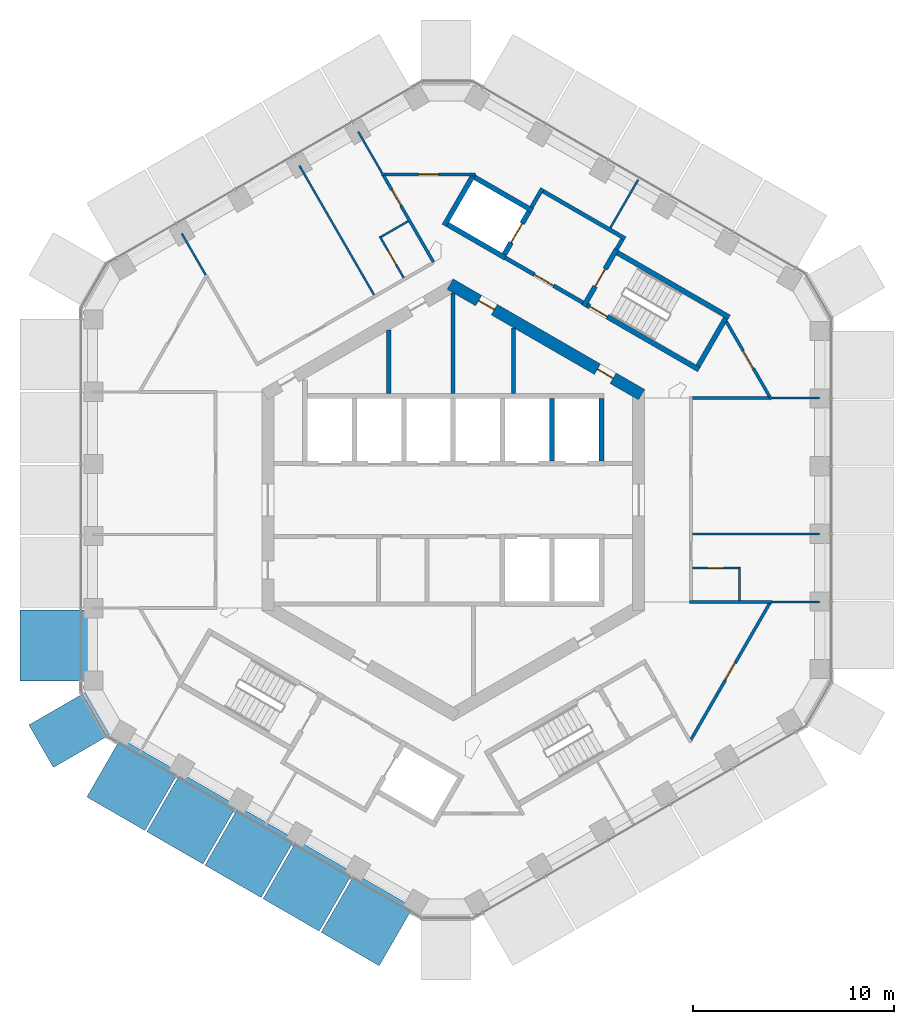
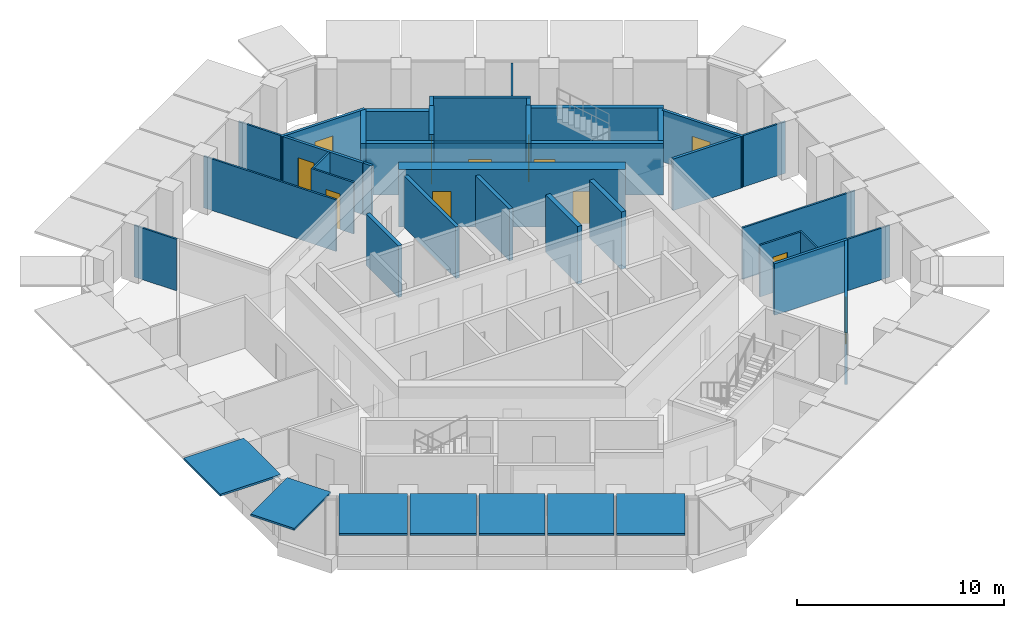
# One storey, part 15 of 18: 36 walls, 12 doors, 7 discrete accessories, 12 openings.
"""IFC4 building model written with IfcOpenShell, lengths in metres."""

from ifc_helpers import new_model, si_unit, direction, frame, frame_2d, origin, origin_2d, place, context, subcontext, project, spatial, rectangle, extrude, material, layer, layer_set, type_object, element, fill, save


model = new_model("IFC4")

# Units and contexts
model_context = context("Model", 3, precision=1e-05, world=origin(), true_north=direction((0.0, 1.0)))
body_context = subcontext(model_context, "Body", "Model", "MODEL_VIEW")
ifc_project = project(units=[si_unit("LENGTHUNIT", "METRE"), si_unit("AREAUNIT", "SQUARE_METRE"), si_unit("VOLUMEUNIT", "CUBIC_METRE"), si_unit("PLANEANGLEUNIT", "RADIAN"), si_unit("MASSUNIT", "GRAM", prefix="KILO")], contexts=[model_context])

# Site, building, storey
site_placement = place(None, origin())
site = spatial("IfcSite", under=ifc_project, at=site_placement, CompositionType="ELEMENT")
building_placement = place(site_placement, origin())
building = spatial("IfcBuilding", under=site, at=building_placement, Name="Ayvan Gate Tower", CompositionType="ELEMENT")
storey_placement = place(building_placement, frame((0.0, 0.0, 169.699951171875)))
storey = spatial("IfcBuildingStorey", under=building, at=storey_placement, Name="L45", CompositionType="ELEMENT", Elevation=169.699951171875)

# Wall, openings, doors
ifc_material_1 = material(Name="Concrete C60/75", Category="concrete")
ifc_layer_1 = layer(ifc_material_1, 0.60009765625)
ifc_layer_set_1 = layer_set([ifc_layer_1], Name="Concrete C60/75")
wall_type_1 = type_object("IfcWallType", Name="Core wall 600 C60/75", PredefinedType="SHEAR", material=ifc_layer_set_1)
wall_1_placement = place(storey_placement, frame((9.35009765625, 5.22509765625, 0.0), z_axis=(0.0, 0.0, 1.0), x_axis=(-0.866023993627, 0.500002442456, 0.0)))
wall_1 = element("IfcWall", 1, at=wall_1_placement, inside=storey, type_object=wall_type_1, Name="CORE-L45-1", PredefinedType="SHEAR", context=body_context, shape_type="SweptSolid", body=[
    extrude(rectangle(XDim=10.9697265625, YDim=0.60009765625, at=frame_2d((5.48486328125, 0.0))), origin(), (0.0, 0.0, 1.0), 3.400146484375),
])
opening_1_placement = place(wall_1_placement, frame((8.44189453125, 0.0, 0.0)))
opening_1 = element("IfcOpeningElement", 2, at=opening_1_placement, cuts=wall_1, Name="Opening L45-D39", PredefinedType="OPENING", context=body_context, shape_type="SweptSolid", body=[
    extrude(rectangle(XDim=0.89990234375, YDim=2.10009765625, at=frame_2d((0.449951171875, 1.050048828125))), frame((0.0, 0.31005859375, 0.0), z_axis=(0.0, -1.0, 0.0), x_axis=(1.0, 0.0, 0.0)), (0.0, 0.0, 1.0), 0.6201171875),
])
opening_2_placement = place(wall_1_placement, frame((1.633544921875, 0.0, 0.0)))
opening_2 = element("IfcOpeningElement", 3, at=opening_2_placement, cuts=wall_1, Name="Opening L45-D40", PredefinedType="OPENING", context=body_context, shape_type="SweptSolid", body=[
    extrude(rectangle(XDim=0.89990234375, YDim=2.10009765625, at=frame_2d((0.449951171875, 1.050048828125))), frame((0.0, 0.31005859375, 0.0), z_axis=(0.0, -1.0, 0.0), x_axis=(1.0, 0.0, 0.0)), (0.0, 0.0, 1.0), 0.6201171875),
])
ifc_material_2 = material(Name="Timber door leaf", Category="wood")
door_type_1 = type_object("IfcDoorType", Name="DT-900", OperationType="NOTDEFINED", PredefinedType="DOOR", material=ifc_material_2)
door_1_placement = place(opening_1_placement, origin())
door_1 = element("IfcDoor", 4, at=door_1_placement, inside=storey, type_object=door_type_1, Name="CD-L45-39", OperationType="SINGLE_SWING_RIGHT", OverallHeight=2.10009765625, OverallWidth=0.89990234375, PredefinedType="DOOR", context=body_context, shape_type="SweptSolid", body=[
    extrude(rectangle(XDim=0.89990234375, YDim=2.10009765625, at=frame_2d((0.449951171875, 1.050048828125))), frame((0.0, 0.02490234375, 0.0), z_axis=(0.0, -1.0, 0.0), x_axis=(1.0, 0.0, 0.0)), (0.0, 0.0, 1.0), 0.050048828125),
])
fill(opening_1, door_1)
door_2_placement = place(opening_2_placement, origin())
door_2 = element("IfcDoor", 5, at=door_2_placement, inside=storey, type_object=door_type_1, Name="CD-L45-40", OperationType="SINGLE_SWING_LEFT", OverallHeight=2.10009765625, OverallWidth=0.89990234375, PredefinedType="DOOR", context=body_context, shape_type="SweptSolid", body=[
    extrude(rectangle(XDim=0.89990234375, YDim=2.10009765625, at=frame_2d((0.449951171875, 1.050048828125))), frame((0.0, 0.02490234375, 0.0), z_axis=(0.0, -1.0, 0.0), x_axis=(1.0, 0.0, 0.0)), (0.0, 0.0, 1.0), 0.050048828125),
])
fill(opening_2, door_2)

# Wall, opening, door
ifc_material_3 = material(Name="Plasterboard on steel stud", Category="steel")
ifc_layer_2 = layer(ifc_material_3, 0.14990234375)
ifc_layer_set_2 = layer_set([ifc_layer_2], Name="Plasterboard on steel stud")
wall_type_2 = type_object("IfcWallType", Name="WT-CORR-150", PredefinedType="PARTITIONING", material=ifc_layer_set_2)
wall_2_placement = place(storey_placement, frame((-3.5703125, 16.16455078125, 0.0), z_axis=(0.0, 0.0, 1.0), x_axis=(1.0, 0.0, 0.0)))
wall_2 = element("IfcWall", 6, at=wall_2_placement, inside=storey, type_object=wall_type_2, Name="IW-L45-032", PredefinedType="PARTITIONING", context=body_context, shape_type="SweptSolid", body=[
    extrude(rectangle(XDim=4.6640625, YDim=0.14990234375, at=frame_2d((2.33203125, 0.0))), origin(), (0.0, 0.0, 1.0), 3.050048828125),
])
opening_3_placement = place(wall_2_placement, frame((1.849365234375, 0.0, 0.0)))
opening_3 = element("IfcOpeningElement", 7, at=opening_3_placement, cuts=wall_2, Name="Opening L45-D26", PredefinedType="OPENING", context=body_context, shape_type="SweptSolid", body=[
    extrude(rectangle(XDim=1.0, YDim=2.10009765625, at=frame_2d((0.5, 1.050048828125))), frame((0.0, 0.0849609375, 0.0), z_axis=(0.0, -1.0, 0.0), x_axis=(1.0, 0.0, 0.0)), (0.0, 0.0, 1.0), 0.169921875),
])
door_type_2 = type_object("IfcDoorType", Name="DT-1000", OperationType="NOTDEFINED", PredefinedType="DOOR", material=ifc_material_2)
door_3_placement = place(opening_3_placement, origin())
door_3 = element("IfcDoor", 8, at=door_3_placement, inside=storey, type_object=door_type_2, Name="ID-L45-026", OperationType="SINGLE_SWING_LEFT", OverallHeight=2.10009765625, OverallWidth=1.0, PredefinedType="DOOR", context=body_context, shape_type="SweptSolid", body=[
    extrude(rectangle(XDim=1.0, YDim=2.10009765625, at=frame_2d((0.5, 1.050048828125))), frame((0.0, 0.02490234375, 0.0), z_axis=(0.0, -1.0, 0.0), x_axis=(1.0, 0.0, 0.0)), (0.0, 0.0, 1.0), 0.050048828125),
])
fill(opening_3, door_3)

wall_3_placement = place(storey_placement, frame((-3.4580078125, 16.099609375, 0.0), z_axis=(0.0, 0.0, 1.0), x_axis=(0.500019192393, -0.866014322768, 0.0)))
wall_3 = element("IfcWall", 9, at=wall_3_placement, inside=storey, type_object=wall_type_2, Name="IW-L45-038", PredefinedType="PARTITIONING", context=body_context, shape_type="SweptSolid", body=[
    extrude(rectangle(XDim=4.439208984375, YDim=0.14990234375, at=frame_2d((2.2197265625, 0.0))), origin(), (0.0, 0.0, 1.0), 3.050048828125),
])
opening_4_placement = place(wall_3_placement, frame((0.82080078125, 0.0, 0.0)))
opening_4 = element("IfcOpeningElement", 10, at=opening_4_placement, cuts=wall_3, Name="Opening L45-D34", PredefinedType="OPENING", context=body_context, shape_type="SweptSolid", body=[
    extrude(rectangle(XDim=0.89990234375, YDim=2.10009765625, at=frame_2d((0.449951171875, 1.050048828125))), frame((0.0, 0.0849609375, 0.0), z_axis=(0.0, -1.0, 0.0), x_axis=(1.0, 0.0, 0.0)), (0.0, 0.0, 1.0), 0.169921875),
])
door_4_placement = place(opening_4_placement, origin())
door_4 = element("IfcDoor", 11, at=door_4_placement, inside=storey, type_object=door_type_1, Name="ID-L45-034", OperationType="SINGLE_SWING_LEFT", OverallHeight=2.10009765625, OverallWidth=0.89990234375, PredefinedType="DOOR", context=body_context, shape_type="SweptSolid", body=[
    extrude(rectangle(XDim=0.89990234375, YDim=2.10009765625, at=frame_2d((0.449951171875, 1.050048828125))), frame((0.0, 0.02490234375, 0.0), z_axis=(0.0, -1.0, 0.0), x_axis=(1.0, 0.0, 0.0)), (0.0, 0.0, 1.0), 0.050048828125),
])
fill(opening_4, door_4)

# Walls
wall_4_placement = place(storey_placement, frame((-1.228271484375, 12.23779296875, 0.0), z_axis=(0.0, 0.0, 1.0), x_axis=(0.499765374431, -0.86616082255, 0.0)))
element("IfcWall", 12, at=wall_4_placement, inside=storey, type_object=wall_type_2, Name="IW-L45-040", PredefinedType="PARTITIONING", context=body_context, shape_type="SweptSolid", body=[
    extrude(rectangle(XDim=0.492431640625, YDim=0.14990234375, at=frame_2d((0.24609375, 0.0))), origin(), (0.0, 0.0, 1.0), 3.050048828125),
])
wall_5_placement = place(storey_placement, frame((11.724853515625, -5.05517578125, 0.0), z_axis=(0.0, 0.0, 1.0), x_axis=(1.0, 0.0, 0.0)))
element("IfcWall", 13, at=wall_5_placement, inside=storey, type_object=wall_type_2, Name="IW-L45-080", PredefinedType="PARTITIONING", context=body_context, shape_type="SweptSolid", body=[
    extrude(rectangle(XDim=4.0966796875, YDim=0.14990234375, at=frame_2d((2.04833984375, 0.0))), origin(), (0.0, 0.0, 1.0), 3.050048828125),
])

# Wall, opening, door
wall_6_placement = place(storey_placement, frame((13.552001953125, 8.856201171875, 0.0), z_axis=(0.0, 0.0, 1.0), x_axis=(0.500027009065, -0.866009809532, 0.0)))
wall_6 = element("IfcWall", 14, at=wall_6_placement, inside=storey, type_object=wall_type_2, Name="IW-L45-084", PredefinedType="PARTITIONING", context=body_context, shape_type="SweptSolid", body=[
    extrude(rectangle(XDim=4.464111328125, YDim=0.14990234375, at=frame_2d((2.23193359375, 0.0))), origin(), (0.0, 0.0, 1.0), 3.050048828125),
])
opening_5_placement = place(wall_6_placement, frame((1.67724609375, 0.0, 0.0)))
opening_5 = element("IfcOpeningElement", 15, at=opening_5_placement, cuts=wall_6, Name="Opening L45-D25", PredefinedType="OPENING", context=body_context, shape_type="SweptSolid", body=[
    extrude(rectangle(XDim=1.0, YDim=2.10009765625, at=frame_2d((0.5, 1.050048828125))), frame((0.0, 0.0849609375, 0.0), z_axis=(0.0, -1.0, 0.0), x_axis=(1.0, 0.0, 0.0)), (0.0, 0.0, 1.0), 0.169921875),
])
door_5_placement = place(opening_5_placement, origin())
door_5 = element("IfcDoor", 16, at=door_5_placement, inside=storey, type_object=door_type_2, Name="ID-L45-025", OperationType="SINGLE_SWING_RIGHT", OverallHeight=2.10009765625, OverallWidth=1.0, PredefinedType="DOOR", context=body_context, shape_type="SweptSolid", body=[
    extrude(rectangle(XDim=1.0, YDim=2.10009765625, at=frame_2d((0.5, 1.050048828125))), frame((0.0, 0.02490234375, 0.0), z_axis=(0.0, -1.0, 0.0), x_axis=(1.0, 0.0, 0.0)), (0.0, 0.0, 1.0), 0.050048828125),
])
fill(opening_5, door_5)

# Wall
wall_7_placement = place(storey_placement, frame((15.671630859375, 5.05517578125, 0.0), z_axis=(0.0, 0.0, 1.0), x_axis=(-1.0, 0.0, 0.0)))
element("IfcWall", 17, at=wall_7_placement, inside=storey, type_object=wall_type_2, Name="IW-L45-089", PredefinedType="PARTITIONING", context=body_context, shape_type="SweptSolid", body=[
    extrude(rectangle(XDim=3.796630859375, YDim=0.14990234375, at=frame_2d((1.8984375, 0.0))), origin(), (0.0, 0.0, 1.0), 3.050048828125),
])

# Wall, opening, door
wall_8_placement = place(storey_placement, frame((15.708984375, -5.1201171875, 0.0), z_axis=(0.0, 0.0, 1.0), x_axis=(-0.499989717029, -0.866031340579, 0.0)))
wall_8 = element("IfcWall", 18, at=wall_8_placement, inside=storey, type_object=wall_type_2, Name="IW-L45-090", PredefinedType="PARTITIONING", context=body_context, shape_type="SweptSolid", body=[
    extrude(rectangle(XDim=7.828369140625, YDim=0.14990234375, at=frame_2d((3.9140625, 0.0))), origin(), (0.0, 0.0, 1.0), 3.050048828125),
])
opening_6_placement = place(wall_8_placement, frame((3.4140625, 0.0, 0.0)))
opening_6 = element("IfcOpeningElement", 19, at=opening_6_placement, cuts=wall_8, Name="Opening L45-D33", PredefinedType="OPENING", context=body_context, shape_type="SweptSolid", body=[
    extrude(rectangle(XDim=1.0, YDim=2.10009765625, at=frame_2d((0.5, 1.050048828125))), frame((0.0, 0.0849609375, 0.0), z_axis=(0.0, -1.0, 0.0), x_axis=(1.0, 0.0, 0.0)), (0.0, 0.0, 1.0), 0.169921875),
])
door_6_placement = place(opening_6_placement, origin())
door_6 = element("IfcDoor", 20, at=door_6_placement, inside=storey, type_object=door_type_2, Name="ID-L45-033", OperationType="SINGLE_SWING_RIGHT", OverallHeight=2.10009765625, OverallWidth=1.0, PredefinedType="DOOR", context=body_context, shape_type="SweptSolid", body=[
    extrude(rectangle(XDim=1.0, YDim=2.10009765625, at=frame_2d((0.5, 1.050048828125))), frame((0.0, 0.02490234375, 0.0), z_axis=(0.0, -1.0, 0.0), x_axis=(1.0, 0.0, 0.0)), (0.0, 0.0, 1.0), 0.050048828125),
])
fill(opening_6, door_6)

# Walls
ifc_layer_3 = layer(ifc_material_3, 0.10009765625)
ifc_layer_set_3 = layer_set([ifc_layer_3], Name="Plasterboard on steel stud")
wall_type_3 = type_object("IfcWallType", Name="WT-PART-100", PredefinedType="PARTITIONING", material=ifc_layer_set_3)
wall_9_placement = place(storey_placement, frame((-13.47119140625, 13.222412109375, 0.0), z_axis=(0.0, 0.0, 1.0), x_axis=(0.499969694265, -0.866042900102, 0.0)))
element("IfcWall", 21, at=wall_9_placement, inside=storey, type_object=wall_type_3, Name="IW-L45-007", PredefinedType="PARTITIONING", context=body_context, shape_type="SweptSolid", body=[
    extrude(rectangle(XDim=2.364990234375, YDim=0.10009765625, at=frame_2d((1.1826171875, 0.0))), origin(), (0.0, 0.0, 1.0), 3.050048828125),
])
wall_10_placement = place(storey_placement, frame((-3.92822265625, 10.174072265625, 0.0), z_axis=(0.0, 0.0, 1.0), x_axis=(-0.500011399757, 0.866018822032, 0.0)))
element("IfcWall", 22, at=wall_10_placement, inside=storey, type_object=wall_type_3, Name="IW-L45-026", PredefinedType="PARTITIONING", context=body_context, shape_type="SweptSolid", body=[
    extrude(rectangle(XDim=7.411376953125, YDim=0.10009765625, at=frame_2d((3.70556640625, 0.0))), origin(), (0.0, 0.0, 1.0), 3.050048828125),
])

# Wall, opening, door
wall_11_placement = place(storey_placement, frame((-3.6435546875, 13.080810546875, 0.0), z_axis=(0.0, 0.0, 1.0), x_axis=(0.499986429846, -0.866033238375, 0.0)))
wall_11 = element("IfcWall", 23, at=wall_11_placement, inside=storey, type_object=wall_type_3, Name="IW-L45-030", PredefinedType="PARTITIONING", context=body_context, shape_type="SweptSolid", body=[
    extrude(rectangle(XDim=2.375, YDim=0.10009765625, at=frame_2d((1.1875, 0.0))), origin(), (0.0, 0.0, 1.0), 3.050048828125),
])
opening_7_placement = place(wall_11_placement, frame((0.8125, 0.0, 0.0)))
opening_7 = element("IfcOpeningElement", 24, at=opening_7_placement, cuts=wall_11, Name="Opening L45-D35", PredefinedType="OPENING", context=body_context, shape_type="SweptSolid", body=[
    extrude(rectangle(XDim=0.800048828125, YDim=2.10009765625, at=frame_2d((0.39990234375, 1.050048828125))), frame((0.0, 0.06005859375, 0.0), z_axis=(0.0, -1.0, 0.0), x_axis=(1.0, 0.0, 0.0)), (0.0, 0.0, 1.0), 0.1201171875),
])
door_type_3 = type_object("IfcDoorType", Name="DT-800", OperationType="NOTDEFINED", PredefinedType="DOOR", material=ifc_material_2)
door_7_placement = place(opening_7_placement, origin())
door_7 = element("IfcDoor", 25, at=door_7_placement, inside=storey, type_object=door_type_3, Name="ID-L45-035", OperationType="SINGLE_SWING_RIGHT", OverallHeight=2.10009765625, OverallWidth=0.800048828125, PredefinedType="DOOR", context=body_context, shape_type="SweptSolid", body=[
    extrude(rectangle(XDim=0.800048828125, YDim=2.10009765625, at=frame_2d((0.39990234375, 1.050048828125))), frame((0.0, 0.02490234375, 0.0), z_axis=(0.0, -1.0, 0.0), x_axis=(1.0, 0.0, 0.0)), (0.0, 0.0, 1.0), 0.050048828125),
])
fill(opening_7, door_7)

# Walls
wall_12_placement = place(storey_placement, frame((-3.532958984375, 16.2294921875, 0.0), z_axis=(0.0, 0.0, 1.0), x_axis=(-0.499969694265, 0.866042900102, 0.0)))
element("IfcWall", 26, at=wall_12_placement, inside=storey, type_object=wall_type_3, Name="IW-L45-031", PredefinedType="PARTITIONING", context=body_context, shape_type="SweptSolid", body=[
    extrude(rectangle(XDim=2.364990234375, YDim=0.10009765625, at=frame_2d((1.1826171875, 0.0))), origin(), (0.0, 0.0, 1.0), 3.050048828125),
])
wall_13_placement = place(storey_placement, frame((-2.237060546875, 13.8349609375, 0.0), z_axis=(0.0, 0.0, 1.0), x_axis=(-0.866056658381, -0.499945861543, 0.0)))
element("IfcWall", 27, at=wall_13_placement, inside=storey, type_object=wall_type_3, Name="IW-L45-037", PredefinedType="PARTITIONING", context=body_context, shape_type="SweptSolid", body=[
    extrude(rectangle(XDim=1.545166015625, YDim=0.10009765625, at=frame_2d((0.7724609375, 0.0))), origin(), (0.0, 0.0, 1.0), 3.050048828125),
])
wall_14_placement = place(storey_placement, frame((7.800048828125, 13.510009765625, 0.0), z_axis=(0.0, 0.0, 1.0), x_axis=(0.500000584575, 0.86602506628, 0.0)))
element("IfcWall", 28, at=wall_14_placement, inside=storey, type_object=wall_type_3, Name="IW-L45-073", PredefinedType="PARTITIONING", context=body_context, shape_type="SweptSolid", body=[
    extrude(rectangle(XDim=2.7607421875, YDim=0.10009765625, at=frame_2d((1.38037109375, 0.0))), origin(), (0.0, 0.0, 1.0), 3.050048828125),
])
wall_15_placement = place(storey_placement, frame((11.875, -1.68505859375, 0.0), z_axis=(0.0, 0.0, 1.0), x_axis=(1.0, 0.0, 0.0)))
element("IfcWall", 29, at=wall_15_placement, inside=storey, type_object=wall_type_3, Name="IW-L45-082", PredefinedType="PARTITIONING", context=body_context, shape_type="SweptSolid", body=[
    extrude(rectangle(XDim=6.3115234375, YDim=0.10009765625, at=frame_2d((3.15576171875, 0.0))), origin(), (0.0, 0.0, 1.0), 3.050048828125),
])
wall_16_placement = place(storey_placement, frame((14.199951171875, -4.980224609375, 0.0), z_axis=(0.0, 0.0, 1.0), x_axis=(0.0, 1.0, 0.0)))
element("IfcWall", 30, at=wall_16_placement, inside=storey, type_object=wall_type_3, Name="IW-L45-086", PredefinedType="PARTITIONING", context=body_context, shape_type="SweptSolid", body=[
    extrude(rectangle(XDim=1.64501953125, YDim=0.10009765625, at=frame_2d((0.822509765625, 0.0))), origin(), (0.0, 0.0, 1.0), 3.050048828125),
])

# Wall, opening, door
wall_17_placement = place(storey_placement, frame((14.14990234375, -3.385009765625, 0.0), z_axis=(0.0, 0.0, 1.0), x_axis=(-1.0, 0.0, 0.0)))
wall_17 = element("IfcWall", 31, at=wall_17_placement, inside=storey, type_object=wall_type_3, Name="IW-L45-087", PredefinedType="PARTITIONING", context=body_context, shape_type="SweptSolid", body=[
    extrude(rectangle(XDim=2.27490234375, YDim=0.10009765625, at=frame_2d((1.137451171875, 0.0))), origin(), (0.0, 0.0, 1.0), 3.050048828125),
])
opening_8_placement = place(wall_17_placement, frame((0.737548828125, 0.0, 0.0)))
opening_8 = element("IfcOpeningElement", 32, at=opening_8_placement, cuts=wall_17, Name="Opening L45-D23", PredefinedType="OPENING", context=body_context, shape_type="SweptSolid", body=[
    extrude(rectangle(XDim=0.800048828125, YDim=2.10009765625, at=frame_2d((0.39990234375, 1.050048828125))), frame((0.0, 0.06005859375, 0.0), z_axis=(0.0, -1.0, 0.0), x_axis=(1.0, 0.0, 0.0)), (0.0, 0.0, 1.0), 0.1201171875),
])
door_8_placement = place(opening_8_placement, origin())
door_8 = element("IfcDoor", 33, at=door_8_placement, inside=storey, type_object=door_type_3, Name="ID-L45-023", OperationType="SINGLE_SWING_RIGHT", OverallHeight=2.10009765625, OverallWidth=0.800048828125, PredefinedType="DOOR", context=body_context, shape_type="SweptSolid", body=[
    extrude(rectangle(XDim=0.800048828125, YDim=2.10009765625, at=frame_2d((0.39990234375, 1.050048828125))), frame((0.0, 0.02490234375, 0.0), z_axis=(0.0, -1.0, 0.0), x_axis=(1.0, 0.0, 0.0)), (0.0, 0.0, 1.0), 0.050048828125),
])
fill(opening_8, door_8)

# Walls
for number, where, z_axis, x_axis, name in (
    (34, (15.821533203125, 5.05517578125, 0.0), (0.0, 0.0, 1.0), (1.0, 0.0, 0.0), "IW-L45-088"),
    (35, (18.1865234375, -5.05517578125, 0.0), (0.0, 0.0, 1.0), (-1.0, 0.0, 0.0), "IW-L45-091"),
):
    element("IfcWall", number, at=place(storey_placement, frame(where, z_axis=z_axis, x_axis=x_axis)), inside=storey, type_object=wall_type_3, Name=name, PredefinedType="PARTITIONING", context=body_context, shape_type="SweptSolid", body=[
        extrude(rectangle(XDim=2.364990234375, YDim=0.10009765625, at=frame_2d((1.1826171875, 0.0))), origin(), (0.0, 0.0, 1.0), 3.050048828125),
    ])
ifc_layer_4 = layer(ifc_material_3, 0.199951171875)
ifc_layer_set_4 = layer_set([ifc_layer_4], Name="Plasterboard on steel stud")
wall_type_4 = type_object("IfcWallType", Name="WT-RATED-200", PredefinedType="PARTITIONING", material=ifc_layer_set_4)
wall_18_placement = place(storey_placement, frame((-3.199951171875, 8.42919921875, 0.0), z_axis=(0.0, 0.0, 1.0), x_axis=(0.0, -1.0, 0.0)))
element("IfcWall", 36, at=wall_18_placement, inside=storey, type_object=wall_type_4, Name="IW-L45-033", PredefinedType="PARTITIONING", context=body_context, shape_type="SweptSolid", body=[
    extrude(rectangle(XDim=3.154296875, YDim=0.199951171875, at=frame_2d((1.5771484375, 0.0))), origin(), (0.0, 0.0, 1.0), 3.050048828125),
])
wall_19_placement = place(storey_placement, frame((0.0, 10.27685546875, 0.0), z_axis=(0.0, 0.0, 1.0), x_axis=(0.0, -1.0, 0.0)))
element("IfcWall", 37, at=wall_19_placement, inside=storey, type_object=wall_type_4, Name="IW-L45-045", PredefinedType="PARTITIONING", context=body_context, shape_type="SweptSolid", body=[
    extrude(rectangle(XDim=5.001953125, YDim=0.199951171875, at=frame_2d((2.5009765625, 0.0))), origin(), (0.0, 0.0, 1.0), 3.050048828125),
])
wall_20_placement = place(storey_placement, frame((3.0, 8.544921875, 0.0), z_axis=(0.0, 0.0, 1.0), x_axis=(0.0, -1.0, 0.0)))
element("IfcWall", 38, at=wall_20_placement, inside=storey, type_object=wall_type_4, Name="IW-L45-054", PredefinedType="PARTITIONING", context=body_context, shape_type="SweptSolid", body=[
    extrude(rectangle(XDim=3.27001953125, YDim=0.199951171875, at=frame_2d((1.635009765625, 0.0))), origin(), (0.0, 0.0, 1.0), 3.050048828125),
])
wall_21_placement = place(storey_placement, frame((3.885009765625, 14.52880859375, 0.0), z_axis=(0.0, 0.0, 1.0), x_axis=(0.499997628298, 0.866026773083, 0.0)))
element("IfcWall", 39, at=wall_21_placement, inside=storey, type_object=wall_type_4, Name="IW-L45-058", PredefinedType="PARTITIONING", context=body_context, shape_type="SweptSolid", body=[
    extrude(rectangle(XDim=1.0751953125, YDim=0.199951171875, at=frame_2d((0.53759765625, 0.0))), origin(), (0.0, 0.0, 1.0), 3.050048828125),
])
wall_22_placement = place(storey_placement, frame((4.458984375, 15.323486328125, 0.0), z_axis=(0.0, 0.0, 1.0), x_axis=(0.866016039709, -0.500016218704, 0.0)))
element("IfcWall", 40, at=wall_22_placement, inside=storey, type_object=wall_type_4, Name="IW-L45-059", PredefinedType="PARTITIONING", context=body_context, shape_type="SweptSolid", body=[
    extrude(rectangle(XDim=4.699951171875, YDim=0.199951171875, at=frame_2d((2.35009765625, 0.0))), origin(), (0.0, 0.0, 1.0), 3.050048828125),
])

# Wall, opening, door
wall_23_placement = place(storey_placement, frame((6.4345703125, 9.794921875, 0.0), z_axis=(0.0, 0.0, 1.0), x_axis=(-0.866012907634, 0.500021643343, 0.0)))
wall_23 = element("IfcWall", 41, at=wall_23_placement, inside=storey, type_object=wall_type_4, Name="IW-L45-064", PredefinedType="PARTITIONING", context=body_context, shape_type="SweptSolid", body=[
    extrude(rectangle(XDim=4.449951171875, YDim=0.199951171875, at=frame_2d((2.22509765625, 0.0))), origin(), (0.0, 0.0, 1.0), 3.050048828125),
])
opening_9_placement = place(wall_23_placement, frame((1.675048828125, 0.0, 0.0)))
opening_9 = element("IfcOpeningElement", 42, at=opening_9_placement, cuts=wall_23, Name="Opening L45-D13", PredefinedType="OPENING", context=body_context, shape_type="SweptSolid", body=[
    extrude(rectangle(XDim=1.10009765625, YDim=2.10009765625, at=frame_2d((0.550048828125, 1.050048828125))), frame((0.0, 0.10986328125, 0.0), z_axis=(0.0, -1.0, 0.0), x_axis=(1.0, 0.0, 0.0)), (0.0, 0.0, 1.0), 0.219970703125),
])
door_type_4 = type_object("IfcDoorType", Name="DT-1100", OperationType="NOTDEFINED", PredefinedType="DOOR", material=ifc_material_2)
door_9_placement = place(opening_9_placement, origin())
door_9 = element("IfcDoor", 43, at=door_9_placement, inside=storey, type_object=door_type_4, Name="ID-L45-013", OperationType="SINGLE_SWING_RIGHT", OverallHeight=2.10009765625, OverallWidth=1.10009765625, PredefinedType="DOOR", context=body_context, shape_type="SweptSolid", body=[
    extrude(rectangle(XDim=1.10009765625, YDim=2.10009765625, at=frame_2d((0.550048828125, 1.050048828125))), frame((0.0, 0.02490234375, 0.0), z_axis=(0.0, -1.0, 0.0), x_axis=(1.0, 0.0, 0.0)), (0.0, 0.0, 1.0), 0.050048828125),
])
fill(opening_9, door_9)

# Walls
wall_24_placement = place(storey_placement, frame((8.392822265625, 12.936767578125, 0.0), z_axis=(0.0, 0.0, 1.0), x_axis=(-0.500065409566, -0.86598763626, 0.0)))
element("IfcWall", 44, at=wall_24_placement, inside=storey, type_object=wall_type_4, Name="IW-L45-075", PredefinedType="PARTITIONING", context=body_context, shape_type="SweptSolid", body=[
    extrude(rectangle(XDim=0.5751953125, YDim=0.199951171875, at=frame_2d((0.28759765625, 0.0))), origin(), (0.0, 0.0, 1.0), 3.050048828125),
])
ifc_material_4 = material(Name="Concrete C50/60", Category="concrete")
ifc_layer_5 = layer(ifc_material_4, 0.25)
ifc_layer_set_5 = layer_set([ifc_layer_5], Name="Concrete C50/60")
wall_type_5 = type_object("IfcWallType", Name="WT-RC-250", PredefinedType="SHEAR", material=ifc_layer_set_5)
wall_25_placement = place(storey_placement, frame((-0.447998046875, 13.624267578125, 0.0), z_axis=(0.0, 0.0, 1.0), x_axis=(0.500037662692, 0.866003658127, 0.0)))
element("IfcWall", 45, at=wall_25_placement, inside=storey, type_object=wall_type_5, Name="IW-L45-043", PredefinedType="SHEAR", context=body_context, shape_type="SweptSolid", body=[
    extrude(rectangle(XDim=2.949951171875, YDim=0.25, at=frame_2d((1.47509765625, 0.0))), origin(), (0.0, 0.0, 1.0), 3.050048828125),
])
for number, where, z_axis, x_axis, name in (
    (46, (1.072998046875, 16.00830078125, 0.0), (0.0, 0.0, 1.0), (0.866040211805, -0.499974350878, 0.0), "IW-L45-046"),
    (47, (2.580810546875, 12.02001953125, 0.0), (0.0, 0.0, 1.0), (-0.866040211805, 0.499974350878, 0.0), "IW-L45-052"),
):
    element("IfcWall", number, at=place(storey_placement, frame(where, z_axis=z_axis, x_axis=x_axis)), inside=storey, type_object=wall_type_5, Name=name, PredefinedType="SHEAR", context=body_context, shape_type="SweptSolid", body=[
        extrude(rectangle(XDim=3.300048828125, YDim=0.25, at=frame_2d((1.64990234375, 0.0))), origin(), (0.0, 0.0, 1.0), 3.050048828125),
    ])

# Wall, opening, door
wall_26_placement = place(storey_placement, frame((2.534912109375, 12.19091796875, 0.0), z_axis=(0.0, 0.0, 1.0), x_axis=(0.500061746146, 0.865989751695, 0.0)))
wall_26 = element("IfcWall", 48, at=wall_26_placement, inside=storey, type_object=wall_type_5, Name="IW-L45-053", PredefinedType="SHEAR", context=body_context, shape_type="SweptSolid", body=[
    extrude(rectangle(XDim=2.449951171875, YDim=0.25, at=frame_2d((1.22509765625, 0.0))), origin(), (0.0, 0.0, 1.0), 3.400146484375),
])
opening_10_placement = place(wall_26_placement, frame((0.675048828125, 0.0, 0.0)))
opening_10 = element("IfcOpeningElement", 49, at=opening_10_placement, cuts=wall_26, Name="Opening L45-LD-FF1", PredefinedType="OPENING", context=body_context, shape_type="SweptSolid", body=[
    extrude(rectangle(XDim=1.10009765625, YDim=2.10009765625, at=frame_2d((0.550048828125, 1.050048828125))), frame((0.0, 0.135009765625, 0.0), z_axis=(0.0, -1.0, 0.0), x_axis=(1.0, 0.0, 0.0)), (0.0, 0.0, 1.0), 0.27001953125),
])
ifc_material_5 = material(Name="Stainless steel landing door", Category="steel")
door_type_5 = type_object("IfcDoorType", Name="DT-LANDING-1100", OperationType="SLIDING_TO_LEFT", PredefinedType="DOOR", material=ifc_material_5)
door_10_placement = place(opening_10_placement, origin())
door_10 = element("IfcDoor", 50, at=door_10_placement, inside=storey, type_object=door_type_5, Name="ID-L45-014", OperationType="SLIDING_TO_LEFT", OverallHeight=2.10009765625, OverallWidth=1.10009765625, PredefinedType="DOOR", context=body_context, shape_type="SweptSolid", body=[
    extrude(rectangle(XDim=1.10009765625, YDim=2.10009765625, at=frame_2d((0.550048828125, 1.050048828125))), frame((0.0, 0.02490234375, 0.0), z_axis=(0.0, -1.0, 0.0), x_axis=(1.0, 0.0, 0.0)), (0.0, 0.0, 1.0), 0.050048828125),
])
fill(opening_10, door_10)

# Wall
wall_27_placement = place(storey_placement, frame((4.89990234375, 5.02490234375, 0.0), z_axis=(0.0, 0.0, 1.0), x_axis=(0.0, -1.0, 0.0)))
element("IfcWall", 51, at=wall_27_placement, inside=storey, type_object=wall_type_5, Name="IW-L45-062", PredefinedType="SHEAR", context=body_context, shape_type="SweptSolid", body=[
    extrude(rectangle(XDim=3.099853515625, YDim=0.25, at=frame_2d((1.5498046875, 0.0))), origin(), (0.0, 0.0, 1.0), 3.400146484375),
])

# Wall, opening, door
wall_28_placement = place(storey_placement, frame((6.480224609375, 9.624267578125, 0.0), z_axis=(0.0, 0.0, 1.0), x_axis=(0.500017246033, 0.866015446554, 0.0)))
wall_28 = element("IfcWall", 52, at=wall_28_placement, inside=storey, type_object=wall_type_5, Name="IW-L45-065", PredefinedType="SHEAR", context=body_context, shape_type="SweptSolid", body=[
    extrude(rectangle(XDim=3.25, YDim=0.25, at=frame_2d((1.625, 0.0))), origin(), (0.0, 0.0, 1.0), 3.050048828125),
])
opening_11_placement = place(wall_28_placement, frame((1.125, 0.0, 0.0)))
opening_11 = element("IfcOpeningElement", 53, at=opening_11_placement, cuts=wall_28, Name="Opening L45-D12", PredefinedType="OPENING", context=body_context, shape_type="SweptSolid", body=[
    extrude(rectangle(XDim=1.0, YDim=2.10009765625, at=frame_2d((0.5, 1.050048828125))), frame((0.0, 0.135009765625, 0.0), z_axis=(0.0, -1.0, 0.0), x_axis=(1.0, 0.0, 0.0)), (0.0, 0.0, 1.0), 0.27001953125),
])
door_11_placement = place(opening_11_placement, origin())
door_11 = element("IfcDoor", 54, at=door_11_placement, inside=storey, type_object=door_type_2, Name="ID-L45-012", OperationType="SINGLE_SWING_LEFT", OverallHeight=2.10009765625, OverallWidth=1.0, PredefinedType="DOOR", context=body_context, shape_type="SweptSolid", body=[
    extrude(rectangle(XDim=1.0, YDim=2.10009765625, at=frame_2d((0.5, 1.050048828125))), frame((0.0, 0.02490234375, 0.0), z_axis=(0.0, -1.0, 0.0), x_axis=(1.0, 0.0, 0.0)), (0.0, 0.0, 1.0), 0.050048828125),
])
fill(opening_11, door_11)

# Walls
wall_29_placement = place(storey_placement, frame((7.35009765625, 5.02490234375, 0.0), z_axis=(0.0, 0.0, 1.0), x_axis=(0.0, -1.0, 0.0)))
element("IfcWall", 55, at=wall_29_placement, inside=storey, type_object=wall_type_5, Name="IW-L45-072", PredefinedType="SHEAR", context=body_context, shape_type="SweptSolid", body=[
    extrude(rectangle(XDim=3.099853515625, YDim=0.25, at=frame_2d((1.5498046875, 0.0))), origin(), (0.0, 0.0, 1.0), 3.400146484375),
])
wall_30_placement = place(storey_placement, frame((8.151123046875, 12.26806640625, 0.0), z_axis=(0.0, 0.0, 1.0), x_axis=(0.866025499775, -0.499999833739, 0.0)))
element("IfcWall", 56, at=wall_30_placement, inside=storey, type_object=wall_type_5, Name="IW-L45-074", PredefinedType="SHEAR", context=body_context, shape_type="SweptSolid", body=[
    extrude(rectangle(XDim=6.39990234375, YDim=0.25, at=frame_2d((3.199951171875, 0.0))), origin(), (0.0, 0.0, 1.0), 3.050048828125),
])

# Wall, opening, door
wall_31_placement = place(storey_placement, frame((12.193603515625, 6.469970703125, 0.0), z_axis=(0.0, 0.0, 1.0), x_axis=(-0.866025499775, 0.499999833739, 0.0)))
wall_31 = element("IfcWall", 57, at=wall_31_placement, inside=storey, type_object=wall_type_5, Name="IW-L45-083", PredefinedType="SHEAR", context=body_context, shape_type="SweptSolid", body=[
    extrude(rectangle(XDim=6.39990234375, YDim=0.25, at=frame_2d((3.199951171875, 0.0))), origin(), (0.0, 0.0, 1.0), 3.050048828125),
])
opening_12_placement = place(wall_31_placement, frame((5.25, 0.0, 0.0)))
opening_12 = element("IfcOpeningElement", 58, at=opening_12_placement, cuts=wall_31, Name="Opening L45-D11", PredefinedType="OPENING", context=body_context, shape_type="SweptSolid", body=[
    extrude(rectangle(XDim=1.0, YDim=2.10009765625, at=frame_2d((0.5, 1.050048828125))), frame((0.0, 0.135009765625, 0.0), z_axis=(0.0, -1.0, 0.0), x_axis=(1.0, 0.0, 0.0)), (0.0, 0.0, 1.0), 0.27001953125),
])
door_12_placement = place(opening_12_placement, origin())
door_12 = element("IfcDoor", 59, at=door_12_placement, inside=storey, type_object=door_type_2, Name="ID-L45-011", OperationType="SINGLE_SWING_RIGHT", OverallHeight=2.10009765625, OverallWidth=1.0, PredefinedType="DOOR", context=body_context, shape_type="SweptSolid", body=[
    extrude(rectangle(XDim=1.0, YDim=2.10009765625, at=frame_2d((0.5, 1.050048828125))), frame((0.0, 0.02490234375, 0.0), z_axis=(0.0, -1.0, 0.0), x_axis=(1.0, 0.0, 0.0)), (0.0, 0.0, 1.0), 0.050048828125),
])
fill(opening_12, door_12)

# Wall
wall_32_placement = place(storey_placement, frame((12.14794921875, 6.640869140625, 0.0), z_axis=(0.0, 0.0, 1.0), x_axis=(0.500034990121, 0.866005201286, 0.0)))
element("IfcWall", 60, at=wall_32_placement, inside=storey, type_object=wall_type_5, Name="IW-L45-085", PredefinedType="SHEAR", context=body_context, shape_type="SweptSolid", body=[
    extrude(rectangle(XDim=2.749755859375, YDim=0.25, at=frame_2d((1.375, 0.0))), origin(), (0.0, 0.0, 1.0), 3.050048828125),
])

# Discrete accessories
ifc_material_6 = material(Name="Stainless steel 316", Category="steel")
ifc_layer_6 = layer(ifc_material_6, 0.1201171875)
ifc_layer_set_6 = layer_set([ifc_layer_6], Name="Stainless steel 316")
discrete_accessory_type = type_object("IfcDiscreteAccessoryType", Name="Fin carrier bracket", PredefinedType="BRACKET", material=ifc_layer_set_6)
discrete_accessory_1_placement = place(storey_placement, frame((-19.8154296875, -7.221923828125, 3.280029296875), z_axis=(0.0, 0.0, 1.0), x_axis=(0.0, -1.0, 0.0)))
element("IfcDiscreteAccessory", 61, at=discrete_accessory_1_placement, inside=storey, type_object=discrete_accessory_type, Name="Fin carrier 104", PredefinedType="BRACKET", context=body_context, shape_type="SweptSolid", body=[
    extrude(rectangle(XDim=3.54443359375, YDim=3.369873046875, at=origin_2d()), origin(), (0.0, 0.0, 1.0), 0.1201171875),
])
discrete_accessory_2_placement = place(storey_placement, frame((-18.91259765625, -11.330322265625, 3.280029296875), z_axis=(0.0, 0.0, 1.0), x_axis=(0.5, -0.866025403784, 0.0)))
element("IfcDiscreteAccessory", 62, at=discrete_accessory_2_placement, inside=storey, type_object=discrete_accessory_type, Name="Fin carrier 127", PredefinedType="BRACKET", context=body_context, shape_type="SweptSolid", body=[
    extrude(rectangle(XDim=2.4345703125, YDim=3.55517578125, at=origin_2d()), origin(), (0.0, 0.0, 1.0), 0.1201171875),
])
discrete_accessory_3_placement = place(storey_placement, frame((-15.8994140625, -14.112548828125, 3.280029296875), z_axis=(0.0, 0.0, 1.0), x_axis=(0.866025403784, -0.5, 0.0)))
element("IfcDiscreteAccessory", 63, at=discrete_accessory_3_placement, inside=storey, type_object=discrete_accessory_type, Name="Fin carrier 223", PredefinedType="BRACKET", context=body_context, shape_type="SweptSolid", body=[
    extrude(rectangle(XDim=3.3291015625, YDim=3.369873046875, at=origin_2d()), origin(), (0.0, 0.0, 1.0), 0.1201171875),
])
for number, where, z_axis, x_axis, name in (
    (64, (-12.96875, -15.804443359375, 3.280029296875), (0.0, 0.0, 1.0), (0.866025403784, -0.5, 0.0), "Fin carrier 283"),
    (65, (-10.085693359375, -17.468994140625, 3.280029296875), (0.0, 0.0, 1.0), (0.866025403784, -0.5, 0.0), "Fin carrier 348"),
    (66, (-7.20263671875, -19.133544921875, 3.280029296875), (0.0, 0.0, 1.0), (0.866025403784, -0.5, 0.0), "Fin carrier 411"),
):
    element("IfcDiscreteAccessory", number, at=place(storey_placement, frame(where, z_axis=z_axis, x_axis=x_axis)), inside=storey, type_object=discrete_accessory_type, Name=name, PredefinedType="BRACKET", context=body_context, shape_type="SweptSolid", body=[
        extrude(rectangle(XDim=3.218994140625, YDim=3.369873046875, at=origin_2d()), origin(), (0.0, 0.0, 1.0), 0.1201171875),
    ])
discrete_accessory_4_placement = place(storey_placement, frame((-4.27197265625, -20.825439453125, 3.280029296875), z_axis=(0.0, 0.0, 1.0), x_axis=(0.866025403784, -0.5, 0.0)))
element("IfcDiscreteAccessory", 67, at=discrete_accessory_4_placement, inside=storey, type_object=discrete_accessory_type, Name="Fin carrier 470", PredefinedType="BRACKET", context=body_context, shape_type="SweptSolid", body=[
    extrude(rectangle(XDim=3.328857421875, YDim=3.369873046875, at=origin_2d()), origin(), (0.0, 0.0, 1.0), 0.1201171875),
])

save(model, "model.ifc")
